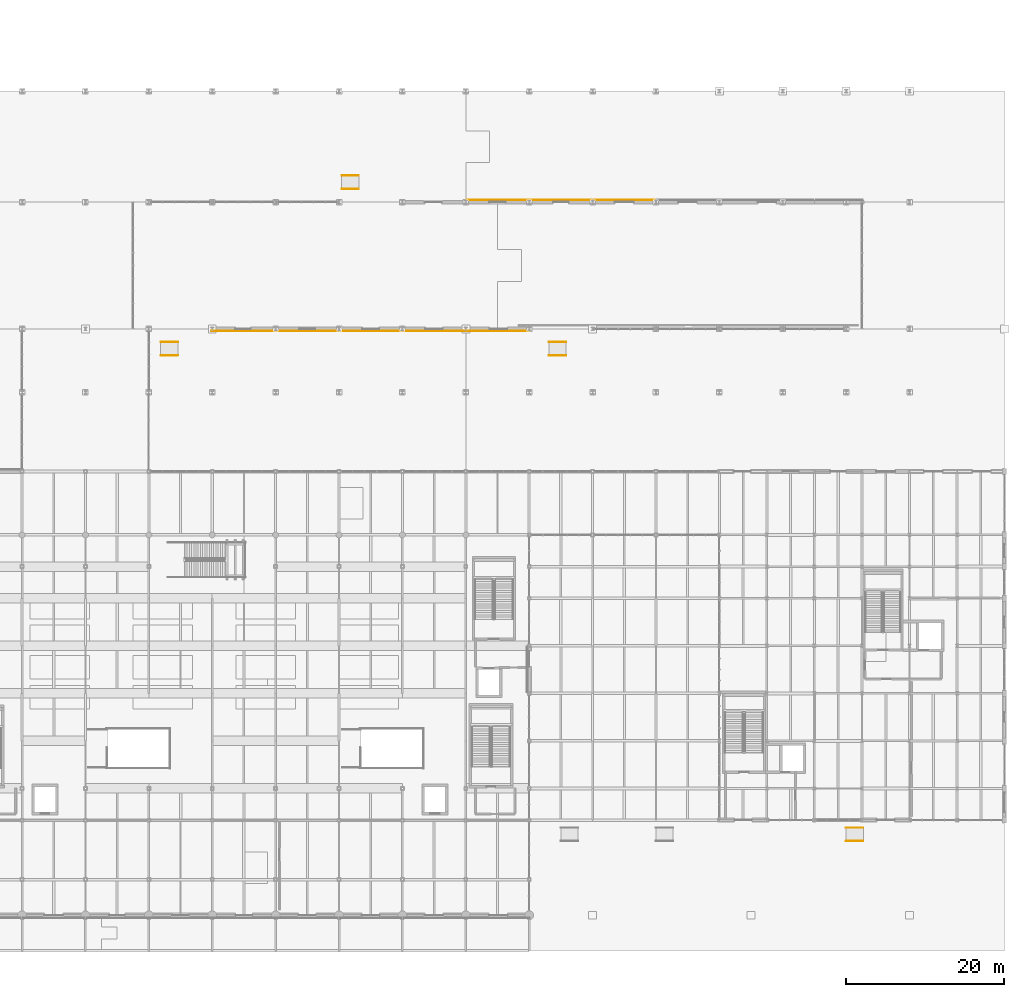
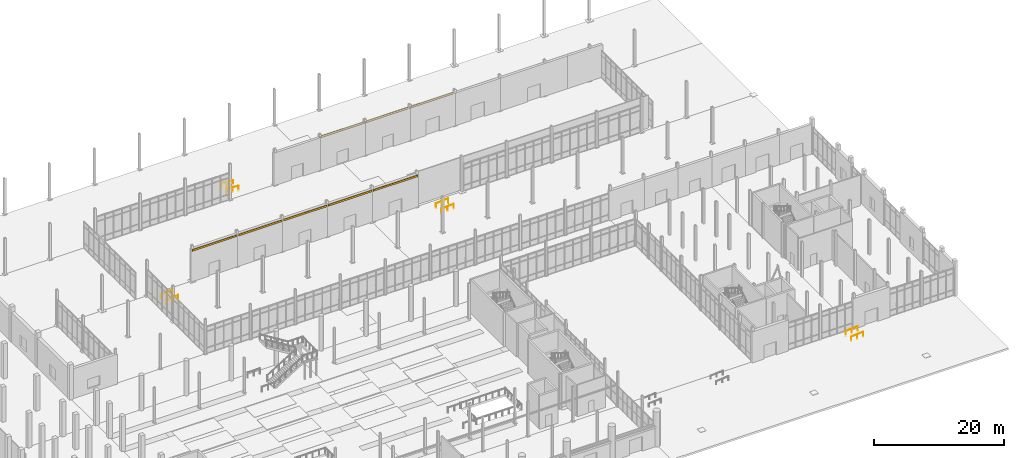
# One storey, part 138 of 140: 8 coverings, 8 railings.
"""IFC4 building model written with IfcOpenShell, lengths in metres."""

from ifc_helpers import new_model, si_unit, direction, frame, origin, origin_2d, place, context, subcontext, project, spatial, rectangle, circle, extrude, material, layer, layer_set, type_object, element, save


model = new_model("IFC4")

# Units and contexts
model_context = context("Model", 3, precision=1e-05, world=origin(), true_north=direction((0.0, 1.0)))
body_context = subcontext(model_context, "Body", "Model", "MODEL_VIEW")
ifc_project = project(units=[si_unit("LENGTHUNIT", "METRE"), si_unit("AREAUNIT", "SQUARE_METRE"), si_unit("VOLUMEUNIT", "CUBIC_METRE"), si_unit("PLANEANGLEUNIT", "RADIAN"), si_unit("MASSUNIT", "GRAM", prefix="KILO")], contexts=[model_context])

# Site, building, storey
site_placement = place(None, origin())
site = spatial("IfcSite", under=ifc_project, at=site_placement, CompositionType="ELEMENT")
building_placement = place(site_placement, origin())
building = spatial("IfcBuilding", under=site, at=building_placement, Name="Verrall Gate Interchange", CompositionType="ELEMENT")
storey_placement = place(building_placement, origin())
storey = spatial("IfcBuildingStorey", under=building, at=storey_placement, Name="L01", CompositionType="ELEMENT", Elevation=0.0)

# Coverings
ifc_material_1 = material(Name="Tyndall Dolomitic Limestone Ashlar Cavity Assembly (U=0.18)", Category="masonry")
ifc_layer = layer(ifc_material_1, 0.080078125)
ifc_layer_set = layer_set([ifc_layer], Name="Tyndall Dolomitic Limestone Ashlar Cavity Assembly (U=0.18)")
covering_type = type_object("IfcCoveringType", Name="CLD-01 Tyndall Cornice Cladding Band", PredefinedType="CLADDING", material=ifc_layer_set)
covering_1_placement = place(storey_placement, frame((71.87890625, 73.75, 5.7578125), z_axis=(0.0, 0.0, 1.0), x_axis=(1.0, 0.0, 0.0)))
element("IfcCovering", 1, at=covering_1_placement, inside=storey, type_object=covering_type, Name="Classical Tyndall Cornice Band 018", PredefinedType="CLADDING", context=body_context, shape_type="SweptSolid", body=[
    extrude(rectangle(XDim=7.9580078125, YDim=0.080078125, at=origin_2d()), origin(), (0.0, 0.0, 1.0), 0.340087890625),
])
for number, where, z_axis, x_axis, name in (
    (2, (80.0, 73.75, 5.7578125), (0.0, 0.0, 1.0), (1.0, 0.0, 0.0), "Classical Tyndall Cornice Band 019"),
    (3, (88.0, 73.75, 5.7578125), (0.0, 0.0, 1.0), (1.0, 0.0, 0.0), "Classical Tyndall Cornice Band 020"),
    (4, (96.0, 73.75, 5.7578125), (0.0, 0.0, 1.0), (1.0, 0.0, 0.0), "Classical Tyndall Cornice Band 021"),
):
    element("IfcCovering", number, at=place(storey_placement, frame(where, z_axis=z_axis, x_axis=x_axis)), inside=storey, type_object=covering_type, Name=name, PredefinedType="CLADDING", context=body_context, shape_type="SweptSolid", body=[
        extrude(rectangle(XDim=7.716064453125, YDim=0.080078125, at=origin_2d()), origin(), (0.0, 0.0, 1.0), 0.340087890625),
    ])
covering_2_placement = place(storey_placement, frame((104.12109375, 73.75, 5.7578125), z_axis=(0.0, 0.0, 1.0), x_axis=(1.0, 0.0, 0.0)))
element("IfcCovering", 5, at=covering_2_placement, inside=storey, type_object=covering_type, Name="Classical Tyndall Cornice Band 022", PredefinedType="CLADDING", context=body_context, shape_type="SweptSolid", body=[
    extrude(rectangle(XDim=7.9580078125, YDim=0.080078125, at=origin_2d()), origin(), (0.0, 0.0, 1.0), 0.340087890625),
])
for number, where, z_axis, x_axis, name in (
    (6, (120.0, 90.25, 5.7578125), (0.0, 0.0, 1.0), (-1.0, 0.0, 0.0), "Classical Tyndall Cornice Band 026"),
    (7, (112.0, 90.25, 5.7578125), (0.0, 0.0, 1.0), (-1.0, 0.0, 0.0), "Classical Tyndall Cornice Band 027"),
    (8, (104.0, 90.25, 5.7578125), (0.0, 0.0, 1.0), (-1.0, 0.0, 0.0), "Classical Tyndall Cornice Band 028"),
):
    element("IfcCovering", number, at=place(storey_placement, frame(where, z_axis=z_axis, x_axis=x_axis)), inside=storey, type_object=covering_type, Name=name, PredefinedType="CLADDING", context=body_context, shape_type="SweptSolid", body=[
        extrude(rectangle(XDim=7.716064453125, YDim=0.080078125, at=origin_2d()), origin(), (0.0, 0.0, 1.0), 0.340087890625),
    ])

# Railings
ifc_material_2 = material(Name="Brushed Stainless-Steel Guardrail and Handrail System", Category="steel")
railing_type = type_object("IfcRailingType", Name="HR-01 Stair and Ramp Pitch-Line Handrail 920", PredefinedType="HANDRAIL", material=ifc_material_2)
for number, where, name in (
    (9, (148.0, 11.050048828125, -0.179931640625), "SE Forecourt Van-Aisle Barrier-Free Ramp Handrail L"),
    (10, (148.0, 9.35009765625, -0.179931640625), "SE Forecourt Van-Aisle Barrier-Free Ramp Handrail R"),
    (11, (61.5, 72.35009765625, -0.179931640625), "South Bus Apron Boarding Ramp West Handrail L"),
    (12, (61.5, 70.64990234375, -0.179931640625), "South Bus Apron Boarding Ramp West Handrail R"),
    (13, (110.5, 72.35009765625, -0.179931640625), "South Bus Apron Boarding Ramp East Handrail L"),
    (14, (110.5, 70.64990234375, -0.179931640625), "South Bus Apron Boarding Ramp East Handrail R"),
):
    element("IfcRailing", number, at=place(storey_placement, frame(where)), inside=storey, type_object=railing_type, Name=name, PredefinedType="HANDRAIL", context=body_context, shape_type="SweptSolid", body=[
        extrude(circle(Radius=0.02392578125, at=origin_2d()), frame((0.0, 0.0, 0.89599609375), z_axis=(0.996548088387, 0.0, 0.08301751341), x_axis=(0.0, 1.0, 0.0)), (0.0, 0.0, 1.0), 2.16748046875),
        extrude(circle(Radius=0.02099609375, at=origin_2d()), origin(), (0.0, 0.0, 1.0), 0.871826171875),
        extrude(circle(Radius=0.02099609375, at=origin_2d()), frame((1.080078125, 0.0, 0.08984375)), (0.0, 0.0, 1.0), 0.871826171875),
        extrude(circle(Radius=0.02099609375, at=origin_2d()), frame((2.159912109375, 0.0, 0.179931640625)), (0.0, 0.0, 1.0), 0.871826171875),
    ])
for number, where, name in (
    (15, (86.5, 91.64990234375, -0.179931640625), "North Bus Apron Boarding Ramp Central Handrail L"),
    (16, (86.5, 93.35009765625, -0.179931640625), "North Bus Apron Boarding Ramp Central Handrail R"),
):
    element("IfcRailing", number, at=place(storey_placement, frame(where)), inside=storey, type_object=railing_type, Name=name, PredefinedType="HANDRAIL", context=body_context, shape_type="SweptSolid", body=[
        extrude(circle(Radius=0.02392578125, at=origin_2d()), frame((0.0, 0.0, 0.89599609375), z_axis=(-0.996548088387, 0.0, 0.08301751341), x_axis=(0.0, -1.0, 0.0)), (0.0, 0.0, 1.0), 2.16748046875),
        extrude(circle(Radius=0.02099609375, at=origin_2d()), origin(), (0.0, 0.0, 1.0), 0.871826171875),
        extrude(circle(Radius=0.02099609375, at=origin_2d()), frame((-1.080078125, 0.0, 0.08984375)), (0.0, 0.0, 1.0), 0.871826171875),
        extrude(circle(Radius=0.02099609375, at=origin_2d()), frame((-2.159912109375, 0.0, 0.179931640625)), (0.0, 0.0, 1.0), 0.871826171875),
    ])

save(model, "model.ifc")
